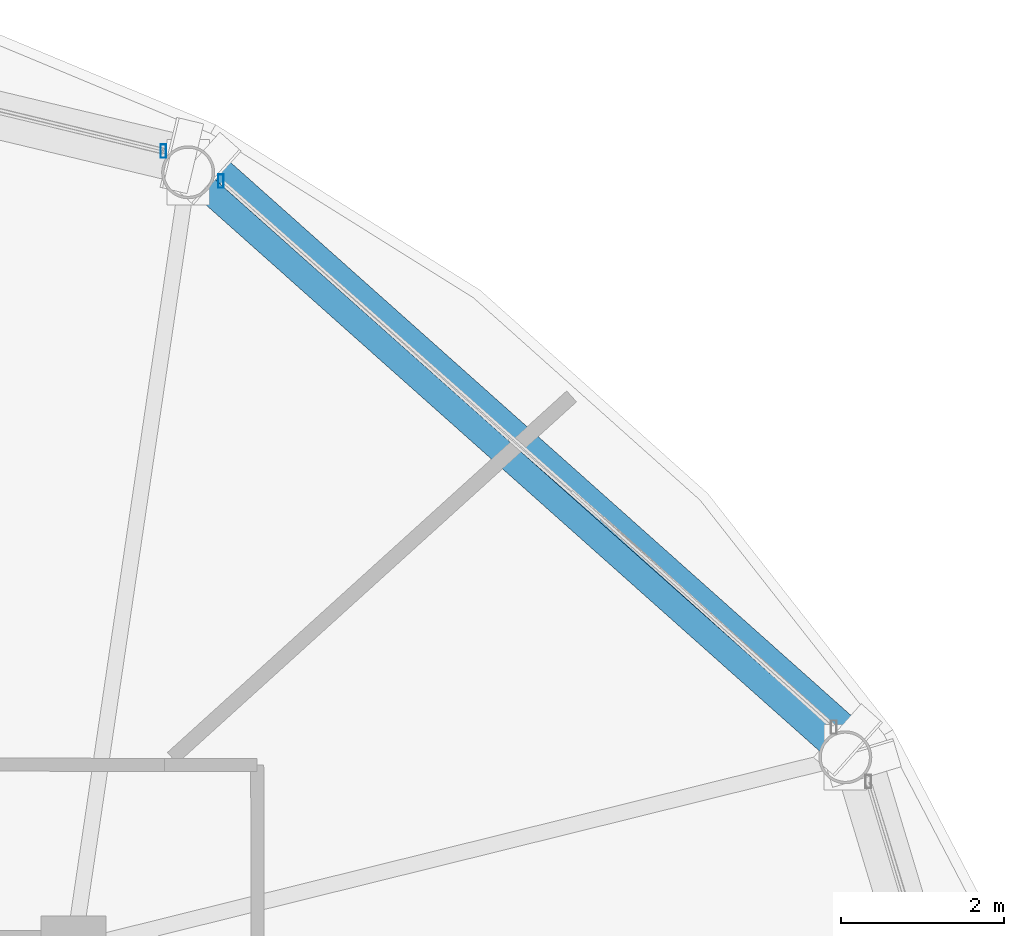
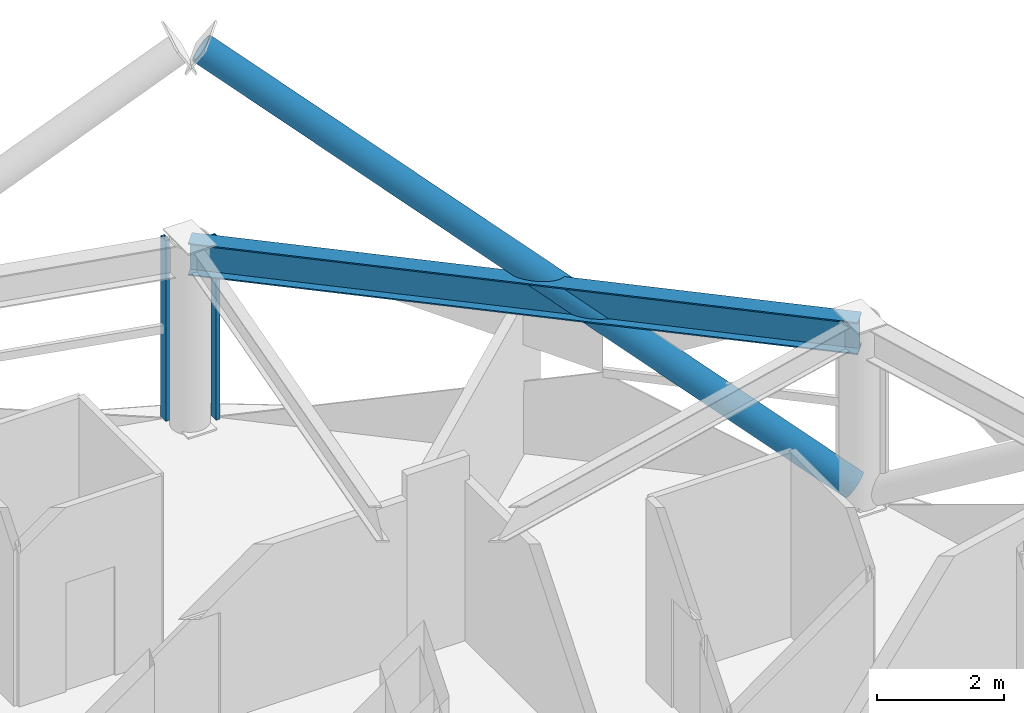
# One storey, part 19 of 29: 3 members, 1 beam, 2 elements without a shape of their own.
"""IFC4 building model written with IfcOpenShell, lengths in metres."""

from ifc_helpers import new_model, si_unit, direction, frame, origin, origin_2d, place, context, subcontext, project, spatial, hollow_rectangle, hollow_circle, i_section, extrude, material, layer, layer_set, material_profile, profile_set, type_object, element, aggregate, save


model = new_model("IFC4")

# Units and contexts
model_context = context("Model", 3, precision=1e-05, world=origin(), true_north=direction((0.0, 1.0)))
body_context = subcontext(model_context, "Body", "Model", "MODEL_VIEW")
ifc_project = project(units=[si_unit("LENGTHUNIT", "METRE"), si_unit("AREAUNIT", "SQUARE_METRE"), si_unit("VOLUMEUNIT", "CUBIC_METRE"), si_unit("PLANEANGLEUNIT", "RADIAN"), si_unit("MASSUNIT", "GRAM", prefix="KILO")], contexts=[model_context])

# Site, building, storey
site_placement = place(None, origin())
site = spatial("IfcSite", under=ifc_project, at=site_placement, CompositionType="ELEMENT")
building_placement = place(site_placement, origin())
building = spatial("IfcBuilding", under=site, at=building_placement, Name="Vantalir Tower", CompositionType="ELEMENT")
storey_placement = place(building_placement, frame((0.0, 0.0, 219.89990234375)))
storey = spatial("IfcBuildingStorey", under=building, at=storey_placement, Name="L55", CompositionType="ELEMENT", Elevation=219.89990234375)

# Beam
ifc_material_1 = material(Name="Steel S460", Category="steel")
ifc_material_profile_1 = material_profile(ifc_material_1, i_section(OverallWidth=0.306884765625, OverallDepth=0.6201171875, WebThickness=0.01416015625, FlangeThickness=0.023681640625, at=origin_2d()), Name="Steel S460")
ifc_profile_set_1 = profile_set([ifc_material_profile_1], Name="Steel S460")
beam_type = type_object("IfcBeamType", Name="BM-RG-610x305", PredefinedType="USERDEFINED", material=ifc_profile_set_1)
beam_placement = place(storey_placement, frame((50.56396484375, 34.798095703125, 3.260009765625), z_axis=(-0.746934658409, 0.664897447782, 0.0), x_axis=(-0.664897447782, -0.746934658409, 0.0)))
element("IfcBeam", 1, at=beam_placement, inside=storey, type_object=beam_type, Name="L55 Circumferential Ring Girder 02", ObjectType="GIRDER", PredefinedType="USERDEFINED", context=body_context, shape_type="SweptSolid", body=[
    extrude(i_section(OverallWidth=0.306884765625, OverallDepth=0.6201171875, WebThickness=0.01416015625, FlangeThickness=0.023681640625, at=origin_2d()), origin(), (0.0, 0.0, 1.0), 10.787841796875),
])

# Curtain wall, member
ifc_material_2 = material(Name="Champagne-silver PVDF aluminium and double-silver Low-E glass", Category="aluminium")
ifc_layer = layer(ifc_material_2, 0.2099609375)
ifc_layer_set = layer_set([ifc_layer], Name="Champagne-silver PVDF aluminium and double-silver Low-E glass")
curtain_wall_type = type_object("IfcCurtainWallType", Name="CW-DIAMOND-Z3", PredefinedType="USERDEFINED", material=ifc_layer_set)
curtain_wall_1_placement = place(storey_placement, origin())
curtain_wall_1 = element("IfcCurtainWall", 2, at=curtain_wall_1_placement, inside=storey, type_object=curtain_wall_type, Name="L55 Quilted Pyramid-Diamond Curtain Wall S02", ObjectType="UNITISED CURTAIN WALL", PredefinedType="USERDEFINED")
ifc_material_3 = material(Name="Champagne-silver PVDF aluminium 6063-T6", Category="aluminium")
ifc_material_profile_2 = material_profile(ifc_material_3, hollow_rectangle(XDim=0.070068359375, YDim=0.1650390625, WallThickness=0.00390625, at=origin_2d()), Name="Champagne-silver PVDF aluminium 6063-T6")
ifc_profile_set_2 = profile_set([ifc_material_profile_2], Name="Champagne-silver PVDF aluminium 6063-T6")
member_type_1 = type_object("IfcMemberType", Name="CWM-165x70", PredefinedType="MULLION", material=ifc_profile_set_2)
member_1_placement = place(storey_placement, frame((42.907958984375, 41.862060546875, 0.045166015625), z_axis=(0.0, 0.0, 1.0), x_axis=(1.0, 0.0, 0.0)))
member_1 = element("IfcMember", 3, at=member_1_placement, type_object=member_type_1, Name="CW-L55-S02 Mullion 2", PredefinedType="MULLION", context=body_context, shape_type="SweptSolid", body=[
    extrude(hollow_rectangle(XDim=0.070068359375, YDim=0.1650390625, WallThickness=0.00390625, at=origin_2d()), origin(), (0.0, 0.0, 1.0), 3.47998046875),
])
aggregate(curtain_wall_1, [member_1])

curtain_wall_2_placement = place(storey_placement, origin())
curtain_wall_2 = element("IfcCurtainWall", 4, at=curtain_wall_2_placement, inside=storey, type_object=curtain_wall_type, Name="L55 Quilted Pyramid-Diamond Curtain Wall S03", ObjectType="UNITISED CURTAIN WALL", PredefinedType="USERDEFINED")
member_2_placement = place(storey_placement, frame((42.202880859375, 42.22998046875, 0.045166015625), z_axis=(0.0, 0.0, 1.0), x_axis=(1.0, 0.0, 0.0)))
member_2 = element("IfcMember", 5, at=member_2_placement, type_object=member_type_1, Name="CW-L55-S03 Mullion 1", PredefinedType="MULLION", context=body_context, shape_type="SweptSolid", body=[
    extrude(hollow_rectangle(XDim=0.070068359375, YDim=0.1650390625, WallThickness=0.00390625, at=origin_2d()), origin(), (0.0, 0.0, 1.0), 3.47998046875),
])
aggregate(curtain_wall_2, [member_2])

# Member
ifc_material_profile_3 = material_profile(ifc_material_1, hollow_circle(Radius=0.25, WallThickness=0.031982421875, at=origin_2d()), Name="Steel S460")
ifc_profile_set_3 = profile_set([ifc_material_profile_3], Name="Steel S460")
member_type_2 = type_object("IfcMemberType", Name="MEM-DB-500x32", PredefinedType="BRACE", material=ifc_profile_set_3)
member_3_placement = place(storey_placement, frame((50.591064453125, 35.014892578125, 0.201171875), z_axis=(-0.623717777386, 0.555881051272, 0.549520146136), x_axis=(-0.665342966023, -0.746537833981, 0.0)))
element("IfcMember", 6, at=member_3_placement, inside=storey, type_object=member_type_2, Name="L55 Perimeter S460 Diagrid Brace R04L", PredefinedType="BRACE", context=body_context, shape_type="SweptSolid", body=[
    extrude(hollow_circle(Radius=0.25, WallThickness=0.031982421875, at=origin_2d()), origin(), (0.0, 0.0, 1.0), 12.589111328125),
])

save(model, "model.ifc")
